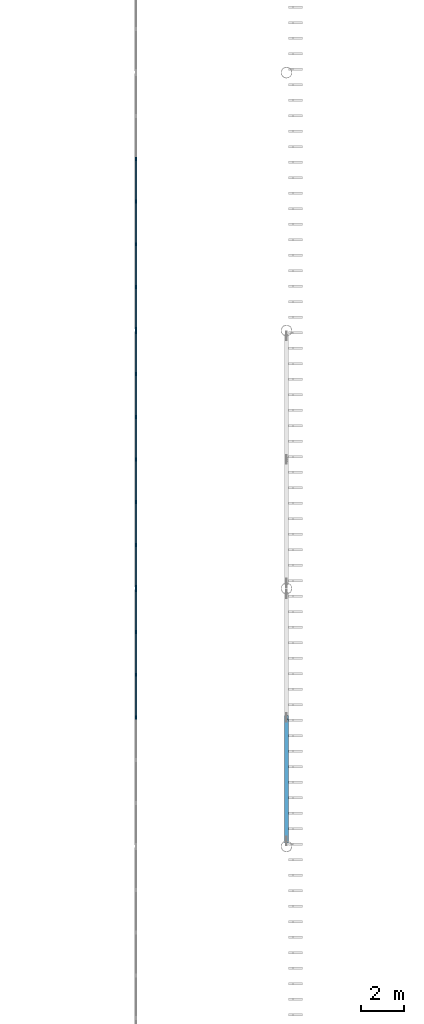
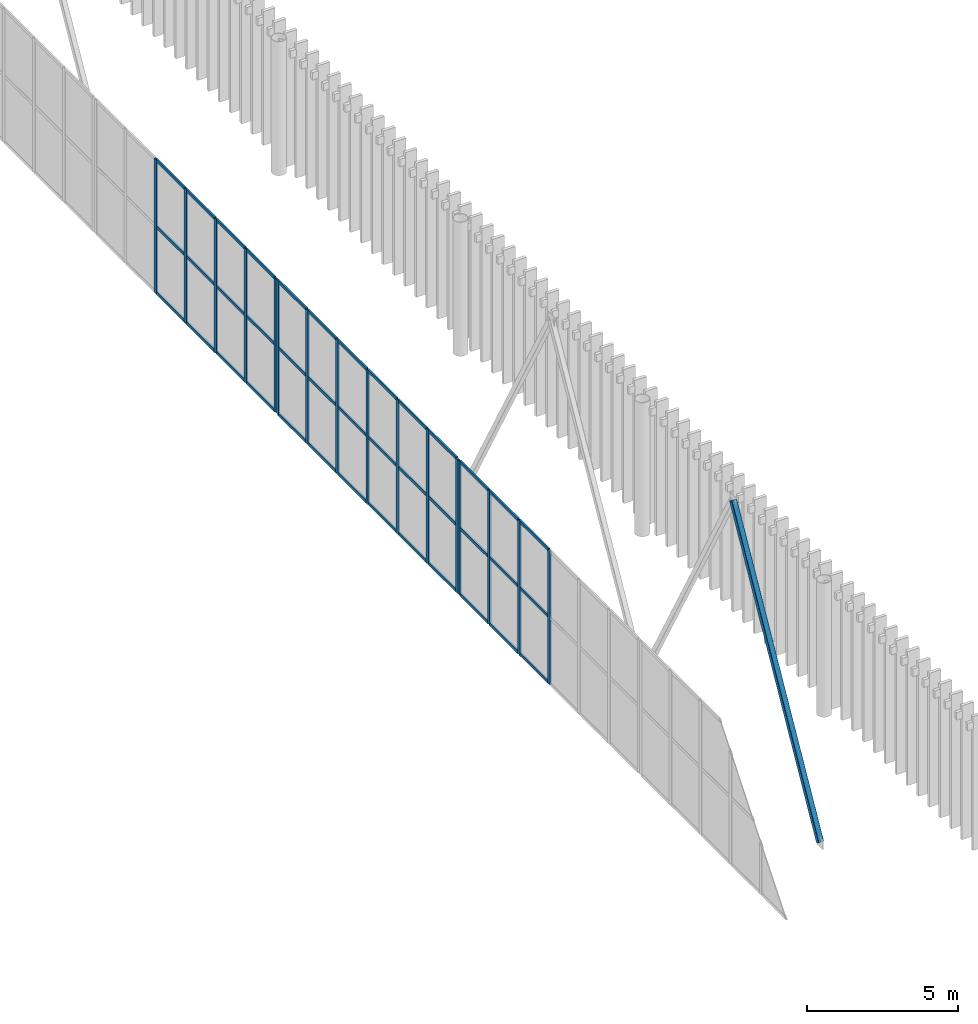
# One storey, part 47 of 170: 56 members, 3 elements without a shape of their own.
"""IFC4 building model written with IfcOpenShell, lengths in metres."""

from ifc_helpers import new_model, si_unit, direction, frame, origin, origin_2d, place, context, subcontext, project, spatial, rectangle, hollow_rectangle, extrude, material, layer, layer_set, material_profile, profile_set, type_object, element, aggregate, save


model = new_model("IFC4")

# Units and contexts
model_context = context("Model", 3, precision=1e-05, world=origin(), true_north=direction((0.0, 1.0)))
body_context = subcontext(model_context, "Body", "Model", "MODEL_VIEW")
ifc_project = project(units=[si_unit("LENGTHUNIT", "METRE"), si_unit("AREAUNIT", "SQUARE_METRE"), si_unit("VOLUMEUNIT", "CUBIC_METRE"), si_unit("PLANEANGLEUNIT", "RADIAN"), si_unit("MASSUNIT", "GRAM", prefix="KILO")], contexts=[model_context])

# Site, building, storey
site_placement = place(None, origin())
site = spatial("IfcSite", under=ifc_project, at=site_placement, CompositionType="ELEMENT")
building_placement = place(site_placement, origin())
building = spatial("IfcBuilding", under=site, at=building_placement, Name="Ravi Spectrum Wholesale Market", CompositionType="ELEMENT")
storey_placement = place(building_placement, frame((0.0, 0.0, 5.39990234375)))
storey = spatial("IfcBuildingStorey", under=building, at=storey_placement, Name="L01", CompositionType="ELEMENT", Elevation=5.39990234375)

# Curtain wall, members
ifc_material_1 = material(Name="Aluminium 6063-T6", Category="aluminium")
ifc_layer = layer(ifc_material_1, 0.14990234375)
ifc_layer_set = layer_set([ifc_layer], Name="Aluminium 6063-T6")
curtain_wall_type = type_object("IfcCurtainWallType", Name="Curtain wall 150", PredefinedType="NOTDEFINED", material=ifc_layer_set)
curtain_wall_1_placement = place(storey_placement, origin())
curtain_wall_1 = element("IfcCurtainWall", 1, at=curtain_wall_1_placement, inside=storey, type_object=curtain_wall_type, Name="H1-CW-L01-021", PredefinedType="NOTDEFINED")
ifc_material_2 = material(Name="Aluminium 6063-T6", Category="aluminium")
ifc_material_profile_1 = material_profile(ifc_material_2, rectangle(XDim=0.06005859375, YDim=0.159912109375, at=origin_2d()))
ifc_profile_set_1 = profile_set([ifc_material_profile_1], Name="Aluminium 6063-T6")
member_type_1 = type_object("IfcMemberType", Name="Mullion 60 x 160", PredefinedType="MULLION", material=ifc_profile_set_1)
member_1_placement = place(storey_placement, frame((103.0, 108.0, 0.0), z_axis=(0.0, 0.0, 1.0), x_axis=(-1.0, 0.0, 0.0)))
member_1 = element("IfcMember", 2, at=member_1_placement, type_object=member_type_1, Name="H1-CW-L01-021 mullion 4", PredefinedType="MULLION", context=body_context, shape_type="SweptSolid", body=[
    extrude(rectangle(XDim=0.06005859375, YDim=0.159912109375, at=origin_2d()), origin(), (0.0, 0.0, 1.0), 5.400146484375),
])
member_2_placement = place(storey_placement, frame((103.0, 109.986572265625, 0.0), z_axis=(0.0, 0.0, 1.0), x_axis=(-1.0, 0.0, 0.0)))
member_2 = element("IfcMember", 3, at=member_2_placement, type_object=member_type_1, Name="H1-CW-L01-021 mullion 5", PredefinedType="MULLION", context=body_context, shape_type="SweptSolid", body=[
    extrude(rectangle(XDim=0.06005859375, YDim=0.159912109375, at=origin_2d()), origin(), (0.0, 0.0, 1.0), 5.400146484375),
])
member_3_placement = place(storey_placement, frame((103.0, 111.973388671875, 0.0), z_axis=(0.0, 0.0, 1.0), x_axis=(-1.0, 0.0, 0.0)))
member_3 = element("IfcMember", 4, at=member_3_placement, type_object=member_type_1, Name="H1-CW-L01-021 mullion 6", PredefinedType="MULLION", context=body_context, shape_type="SweptSolid", body=[
    extrude(rectangle(XDim=0.06005859375, YDim=0.159912109375, at=origin_2d()), origin(), (0.0, 0.0, 1.0), 5.400146484375),
])
member_4_placement = place(storey_placement, frame((103.0, 113.929931640625, 0.0), z_axis=(0.0, 0.0, 1.0), x_axis=(-1.0, 0.0, 0.0)))
member_4 = element("IfcMember", 5, at=member_4_placement, type_object=member_type_1, Name="H1-CW-L01-021 mullion 7", PredefinedType="MULLION", context=body_context, shape_type="SweptSolid", body=[
    extrude(rectangle(XDim=0.06005859375, YDim=0.159912109375, at=origin_2d()), origin(), (0.0, 0.0, 1.0), 5.400146484375),
])

curtain_wall_2_placement = place(storey_placement, origin())
curtain_wall_2 = element("IfcCurtainWall", 6, at=curtain_wall_2_placement, inside=storey, type_object=curtain_wall_type, Name="H1-CW-L01-022", PredefinedType="NOTDEFINED")
member_5_placement = place(storey_placement, frame((103.0, 114.070068359375, 0.0), z_axis=(0.0, 0.0, 1.0), x_axis=(-1.0, 0.0, 0.0)))
member_5 = element("IfcMember", 7, at=member_5_placement, type_object=member_type_1, Name="H1-CW-L01-022 mullion 1", PredefinedType="MULLION", context=body_context, shape_type="SweptSolid", body=[
    extrude(rectangle(XDim=0.06005859375, YDim=0.159912109375, at=origin_2d()), origin(), (0.0, 0.0, 1.0), 5.400146484375),
])
member_6_placement = place(storey_placement, frame((103.0, 116.026611328125, 0.0), z_axis=(0.0, 0.0, 1.0), x_axis=(-1.0, 0.0, 0.0)))
member_6 = element("IfcMember", 8, at=member_6_placement, type_object=member_type_1, Name="H1-CW-L01-022 mullion 2", PredefinedType="MULLION", context=body_context, shape_type="SweptSolid", body=[
    extrude(rectangle(XDim=0.06005859375, YDim=0.159912109375, at=origin_2d()), origin(), (0.0, 0.0, 1.0), 5.400146484375),
])
member_7_placement = place(storey_placement, frame((103.0, 118.013427734375, 0.0), z_axis=(0.0, 0.0, 1.0), x_axis=(-1.0, 0.0, 0.0)))
member_7 = element("IfcMember", 9, at=member_7_placement, type_object=member_type_1, Name="H1-CW-L01-022 mullion 3", PredefinedType="MULLION", context=body_context, shape_type="SweptSolid", body=[
    extrude(rectangle(XDim=0.06005859375, YDim=0.159912109375, at=origin_2d()), origin(), (0.0, 0.0, 1.0), 5.400146484375),
])
member_8_placement = place(storey_placement, frame((103.0, 120.0, 0.0), z_axis=(0.0, 0.0, 1.0), x_axis=(-1.0, 0.0, 0.0)))
member_8 = element("IfcMember", 10, at=member_8_placement, type_object=member_type_1, Name="H1-CW-L01-022 mullion 4", PredefinedType="MULLION", context=body_context, shape_type="SweptSolid", body=[
    extrude(rectangle(XDim=0.06005859375, YDim=0.159912109375, at=origin_2d()), origin(), (0.0, 0.0, 1.0), 5.400146484375),
])
member_9_placement = place(storey_placement, frame((103.0, 121.986572265625, 0.0), z_axis=(0.0, 0.0, 1.0), x_axis=(-1.0, 0.0, 0.0)))
member_9 = element("IfcMember", 11, at=member_9_placement, type_object=member_type_1, Name="H1-CW-L01-022 mullion 5", PredefinedType="MULLION", context=body_context, shape_type="SweptSolid", body=[
    extrude(rectangle(XDim=0.06005859375, YDim=0.159912109375, at=origin_2d()), origin(), (0.0, 0.0, 1.0), 5.400146484375),
])
member_10_placement = place(storey_placement, frame((103.0, 123.973388671875, 0.0), z_axis=(0.0, 0.0, 1.0), x_axis=(-1.0, 0.0, 0.0)))
member_10 = element("IfcMember", 12, at=member_10_placement, type_object=member_type_1, Name="H1-CW-L01-022 mullion 6", PredefinedType="MULLION", context=body_context, shape_type="SweptSolid", body=[
    extrude(rectangle(XDim=0.06005859375, YDim=0.159912109375, at=origin_2d()), origin(), (0.0, 0.0, 1.0), 5.400146484375),
])
member_11_placement = place(storey_placement, frame((103.0, 125.929931640625, 0.0), z_axis=(0.0, 0.0, 1.0), x_axis=(-1.0, 0.0, 0.0)))
member_11 = element("IfcMember", 13, at=member_11_placement, type_object=member_type_1, Name="H1-CW-L01-022 mullion 7", PredefinedType="MULLION", context=body_context, shape_type="SweptSolid", body=[
    extrude(rectangle(XDim=0.06005859375, YDim=0.159912109375, at=origin_2d()), origin(), (0.0, 0.0, 1.0), 5.400146484375),
])

curtain_wall_3_placement = place(storey_placement, origin())
curtain_wall_3 = element("IfcCurtainWall", 14, at=curtain_wall_3_placement, inside=storey, type_object=curtain_wall_type, Name="H1-CW-L01-023", PredefinedType="NOTDEFINED")
member_12_placement = place(storey_placement, frame((103.0, 126.070068359375, 0.0), z_axis=(0.0, 0.0, 1.0), x_axis=(-1.0, 0.0, 0.0)))
member_12 = element("IfcMember", 15, at=member_12_placement, type_object=member_type_1, Name="H1-CW-L01-023 mullion 1", PredefinedType="MULLION", context=body_context, shape_type="SweptSolid", body=[
    extrude(rectangle(XDim=0.06005859375, YDim=0.159912109375, at=origin_2d()), origin(), (0.0, 0.0, 1.0), 5.400146484375),
])
member_13_placement = place(storey_placement, frame((103.0, 128.026611328125, 0.0), z_axis=(0.0, 0.0, 1.0), x_axis=(-1.0, 0.0, 0.0)))
member_13 = element("IfcMember", 16, at=member_13_placement, type_object=member_type_1, Name="H1-CW-L01-023 mullion 2", PredefinedType="MULLION", context=body_context, shape_type="SweptSolid", body=[
    extrude(rectangle(XDim=0.06005859375, YDim=0.159912109375, at=origin_2d()), origin(), (0.0, 0.0, 1.0), 5.400146484375),
])
member_14_placement = place(storey_placement, frame((103.0, 130.013427734375, 0.0), z_axis=(0.0, 0.0, 1.0), x_axis=(-1.0, 0.0, 0.0)))
member_14 = element("IfcMember", 17, at=member_14_placement, type_object=member_type_1, Name="H1-CW-L01-023 mullion 3", PredefinedType="MULLION", context=body_context, shape_type="SweptSolid", body=[
    extrude(rectangle(XDim=0.06005859375, YDim=0.159912109375, at=origin_2d()), origin(), (0.0, 0.0, 1.0), 5.400146484375),
])
member_15_placement = place(storey_placement, frame((103.0, 132.0, 0.0), z_axis=(0.0, 0.0, 1.0), x_axis=(-1.0, 0.0, 0.0)))
member_15 = element("IfcMember", 18, at=member_15_placement, type_object=member_type_1, Name="H1-CW-L01-023 mullion 4", PredefinedType="MULLION", context=body_context, shape_type="SweptSolid", body=[
    extrude(rectangle(XDim=0.06005859375, YDim=0.159912109375, at=origin_2d()), origin(), (0.0, 0.0, 1.0), 5.400146484375),
])
member_16_placement = place(storey_placement, frame((103.0, 133.986572265625, 0.0), z_axis=(0.0, 0.0, 1.0), x_axis=(-1.0, 0.0, 0.0)))
member_16 = element("IfcMember", 19, at=member_16_placement, type_object=member_type_1, Name="H1-CW-L01-023 mullion 5", PredefinedType="MULLION", context=body_context, shape_type="SweptSolid", body=[
    extrude(rectangle(XDim=0.06005859375, YDim=0.159912109375, at=origin_2d()), origin(), (0.0, 0.0, 1.0), 5.400146484375),
])

# Member
ifc_material_3 = material(Name="Steel S355", Category="steel")
ifc_material_profile_2 = material_profile(ifc_material_3, hollow_rectangle(XDim=0.199951171875, YDim=0.199951171875, WallThickness=0.008056640625, InnerFilletRadius=0.008056640625, OuterFilletRadius=0.01611328125, at=origin_2d()))
ifc_profile_set_2 = profile_set([ifc_material_profile_2], Name="Steel S355")
member_type_2 = type_object("IfcMemberType", Name="SHS 200x200x8 brace", PredefinedType="BRACE", material=ifc_profile_set_2)
member_17_placement = place(storey_placement, frame((110.0, 102.25390625, -5.350830078125), z_axis=(0.0, 0.487151805571, 0.873317306784), x_axis=(-1.0, 0.0, 0.0)))
element("IfcMember", 20, at=member_17_placement, inside=storey, type_object=member_type_2, Name="H1-MB-L01-017", PredefinedType="BRACE", context=body_context, shape_type="SweptSolid", body=[
    extrude(hollow_rectangle(XDim=0.199951171875, YDim=0.199951171875, WallThickness=0.008056640625, InnerFilletRadius=0.008056640625, OuterFilletRadius=0.01611328125, at=origin_2d()), origin(), (0.0, 0.0, 1.0), 11.795166015625),
])

ifc_material_4 = material(Name="Aluminium 6063-T6", Category="aluminium")
ifc_material_profile_3 = material_profile(ifc_material_4, rectangle(XDim=0.06005859375, YDim=0.1201171875, at=origin_2d()))
ifc_profile_set_3 = profile_set([ifc_material_profile_3], Name="Aluminium 6063-T6")
member_type_3 = type_object("IfcMemberType", Name="Transom 60 x 120", PredefinedType="USERDEFINED", material=ifc_profile_set_3)
member_18_placement = place(storey_placement, frame((103.0, 108.030029296875, 0.030029296875), z_axis=(0.0, 1.0, 0.0), x_axis=(-1.0, 0.0, 0.0)))
member_18 = element("IfcMember", 21, at=member_18_placement, type_object=member_type_3, Name="H1-CW-L01-021 transom 4.1", ObjectType="TRANSOM", PredefinedType="USERDEFINED", context=body_context, shape_type="SweptSolid", body=[
    extrude(rectangle(XDim=0.06005859375, YDim=0.1201171875, at=origin_2d()), origin(), (0.0, 0.0, 1.0), 1.9267578125),
])

member_19_placement = place(storey_placement, frame((103.0, 108.030029296875, 2.7001953125), z_axis=(0.0, 1.0, 0.0), x_axis=(-1.0, 0.0, 0.0)))
member_19 = element("IfcMember", 22, at=member_19_placement, type_object=member_type_3, Name="H1-CW-L01-021 transom 4.2", ObjectType="TRANSOM", PredefinedType="USERDEFINED", context=body_context, shape_type="SweptSolid", body=[
    extrude(rectangle(XDim=0.06005859375, YDim=0.1201171875, at=origin_2d()), origin(), (0.0, 0.0, 1.0), 1.9267578125),
])

member_20_placement = place(storey_placement, frame((103.0, 108.030029296875, 5.3701171875), z_axis=(0.0, 1.0, 0.0), x_axis=(-1.0, 0.0, 0.0)))
member_20 = element("IfcMember", 23, at=member_20_placement, type_object=member_type_3, Name="H1-CW-L01-021 transom 4.3", ObjectType="TRANSOM", PredefinedType="USERDEFINED", context=body_context, shape_type="SweptSolid", body=[
    extrude(rectangle(XDim=0.06005859375, YDim=0.1201171875, at=origin_2d()), origin(), (0.0, 0.0, 1.0), 1.9267578125),
])

member_21_placement = place(storey_placement, frame((103.0, 110.0166015625, 0.030029296875), z_axis=(0.0, 1.0, 0.0), x_axis=(-1.0, 0.0, 0.0)))
member_21 = element("IfcMember", 24, at=member_21_placement, type_object=member_type_3, Name="H1-CW-L01-021 transom 5.1", ObjectType="TRANSOM", PredefinedType="USERDEFINED", context=body_context, shape_type="SweptSolid", body=[
    extrude(rectangle(XDim=0.06005859375, YDim=0.1201171875, at=origin_2d()), origin(), (0.0, 0.0, 1.0), 1.9267578125),
])

member_22_placement = place(storey_placement, frame((103.0, 110.0166015625, 2.7001953125), z_axis=(0.0, 1.0, 0.0), x_axis=(-1.0, 0.0, 0.0)))
member_22 = element("IfcMember", 25, at=member_22_placement, type_object=member_type_3, Name="H1-CW-L01-021 transom 5.2", ObjectType="TRANSOM", PredefinedType="USERDEFINED", context=body_context, shape_type="SweptSolid", body=[
    extrude(rectangle(XDim=0.06005859375, YDim=0.1201171875, at=origin_2d()), origin(), (0.0, 0.0, 1.0), 1.9267578125),
])

member_23_placement = place(storey_placement, frame((103.0, 110.0166015625, 5.3701171875), z_axis=(0.0, 1.0, 0.0), x_axis=(-1.0, 0.0, 0.0)))
member_23 = element("IfcMember", 26, at=member_23_placement, type_object=member_type_3, Name="H1-CW-L01-021 transom 5.3", ObjectType="TRANSOM", PredefinedType="USERDEFINED", context=body_context, shape_type="SweptSolid", body=[
    extrude(rectangle(XDim=0.06005859375, YDim=0.1201171875, at=origin_2d()), origin(), (0.0, 0.0, 1.0), 1.9267578125),
])

member_24_placement = place(storey_placement, frame((103.0, 112.00341796875, 0.030029296875), z_axis=(0.0, 1.0, 0.0), x_axis=(-1.0, 0.0, 0.0)))
member_24 = element("IfcMember", 27, at=member_24_placement, type_object=member_type_3, Name="H1-CW-L01-021 transom 6.1", ObjectType="TRANSOM", PredefinedType="USERDEFINED", context=body_context, shape_type="SweptSolid", body=[
    extrude(rectangle(XDim=0.06005859375, YDim=0.1201171875, at=origin_2d()), origin(), (0.0, 0.0, 1.0), 1.896484375),
])

member_25_placement = place(storey_placement, frame((103.0, 112.00341796875, 2.7001953125), z_axis=(0.0, 1.0, 0.0), x_axis=(-1.0, 0.0, 0.0)))
member_25 = element("IfcMember", 28, at=member_25_placement, type_object=member_type_3, Name="H1-CW-L01-021 transom 6.2", ObjectType="TRANSOM", PredefinedType="USERDEFINED", context=body_context, shape_type="SweptSolid", body=[
    extrude(rectangle(XDim=0.06005859375, YDim=0.1201171875, at=origin_2d()), origin(), (0.0, 0.0, 1.0), 1.896484375),
])

member_26_placement = place(storey_placement, frame((103.0, 112.00341796875, 5.3701171875), z_axis=(0.0, 1.0, 0.0), x_axis=(-1.0, 0.0, 0.0)))
member_26 = element("IfcMember", 29, at=member_26_placement, type_object=member_type_3, Name="H1-CW-L01-021 transom 6.3", ObjectType="TRANSOM", PredefinedType="USERDEFINED", context=body_context, shape_type="SweptSolid", body=[
    extrude(rectangle(XDim=0.06005859375, YDim=0.1201171875, at=origin_2d()), origin(), (0.0, 0.0, 1.0), 1.896484375),
])

aggregate(curtain_wall_1, [member_1, member_2, member_3, member_4, member_18, member_19, member_20, member_21, member_22, member_23, member_24, member_25, member_26])

member_27_placement = place(storey_placement, frame((103.0, 114.10009765625, 0.030029296875), z_axis=(0.0, 1.0, 0.0), x_axis=(-1.0, 0.0, 0.0)))
member_27 = element("IfcMember", 30, at=member_27_placement, type_object=member_type_3, Name="H1-CW-L01-022 transom 1.1", ObjectType="TRANSOM", PredefinedType="USERDEFINED", context=body_context, shape_type="SweptSolid", body=[
    extrude(rectangle(XDim=0.06005859375, YDim=0.1201171875, at=origin_2d()), origin(), (0.0, 0.0, 1.0), 1.896484375),
])

member_28_placement = place(storey_placement, frame((103.0, 114.10009765625, 2.7001953125), z_axis=(0.0, 1.0, 0.0), x_axis=(-1.0, 0.0, 0.0)))
member_28 = element("IfcMember", 31, at=member_28_placement, type_object=member_type_3, Name="H1-CW-L01-022 transom 1.2", ObjectType="TRANSOM", PredefinedType="USERDEFINED", context=body_context, shape_type="SweptSolid", body=[
    extrude(rectangle(XDim=0.06005859375, YDim=0.1201171875, at=origin_2d()), origin(), (0.0, 0.0, 1.0), 1.896484375),
])

member_29_placement = place(storey_placement, frame((103.0, 114.10009765625, 5.3701171875), z_axis=(0.0, 1.0, 0.0), x_axis=(-1.0, 0.0, 0.0)))
member_29 = element("IfcMember", 32, at=member_29_placement, type_object=member_type_3, Name="H1-CW-L01-022 transom 1.3", ObjectType="TRANSOM", PredefinedType="USERDEFINED", context=body_context, shape_type="SweptSolid", body=[
    extrude(rectangle(XDim=0.06005859375, YDim=0.1201171875, at=origin_2d()), origin(), (0.0, 0.0, 1.0), 1.896484375),
])

member_30_placement = place(storey_placement, frame((103.0, 116.056640625, 0.030029296875), z_axis=(0.0, 1.0, 0.0), x_axis=(-1.0, 0.0, 0.0)))
member_30 = element("IfcMember", 33, at=member_30_placement, type_object=member_type_3, Name="H1-CW-L01-022 transom 2.1", ObjectType="TRANSOM", PredefinedType="USERDEFINED", context=body_context, shape_type="SweptSolid", body=[
    extrude(rectangle(XDim=0.06005859375, YDim=0.1201171875, at=origin_2d()), origin(), (0.0, 0.0, 1.0), 1.9267578125),
])

member_31_placement = place(storey_placement, frame((103.0, 116.056640625, 2.7001953125), z_axis=(0.0, 1.0, 0.0), x_axis=(-1.0, 0.0, 0.0)))
member_31 = element("IfcMember", 34, at=member_31_placement, type_object=member_type_3, Name="H1-CW-L01-022 transom 2.2", ObjectType="TRANSOM", PredefinedType="USERDEFINED", context=body_context, shape_type="SweptSolid", body=[
    extrude(rectangle(XDim=0.06005859375, YDim=0.1201171875, at=origin_2d()), origin(), (0.0, 0.0, 1.0), 1.9267578125),
])

member_32_placement = place(storey_placement, frame((103.0, 116.056640625, 5.3701171875), z_axis=(0.0, 1.0, 0.0), x_axis=(-1.0, 0.0, 0.0)))
member_32 = element("IfcMember", 35, at=member_32_placement, type_object=member_type_3, Name="H1-CW-L01-022 transom 2.3", ObjectType="TRANSOM", PredefinedType="USERDEFINED", context=body_context, shape_type="SweptSolid", body=[
    extrude(rectangle(XDim=0.06005859375, YDim=0.1201171875, at=origin_2d()), origin(), (0.0, 0.0, 1.0), 1.9267578125),
])

member_33_placement = place(storey_placement, frame((103.0, 118.043212890625, 0.030029296875), z_axis=(0.0, 1.0, 0.0), x_axis=(-1.0, 0.0, 0.0)))
member_33 = element("IfcMember", 36, at=member_33_placement, type_object=member_type_3, Name="H1-CW-L01-022 transom 3.1", ObjectType="TRANSOM", PredefinedType="USERDEFINED", context=body_context, shape_type="SweptSolid", body=[
    extrude(rectangle(XDim=0.06005859375, YDim=0.1201171875, at=origin_2d()), origin(), (0.0, 0.0, 1.0), 1.9267578125),
])

member_34_placement = place(storey_placement, frame((103.0, 118.043212890625, 2.7001953125), z_axis=(0.0, 1.0, 0.0), x_axis=(-1.0, 0.0, 0.0)))
member_34 = element("IfcMember", 37, at=member_34_placement, type_object=member_type_3, Name="H1-CW-L01-022 transom 3.2", ObjectType="TRANSOM", PredefinedType="USERDEFINED", context=body_context, shape_type="SweptSolid", body=[
    extrude(rectangle(XDim=0.06005859375, YDim=0.1201171875, at=origin_2d()), origin(), (0.0, 0.0, 1.0), 1.9267578125),
])

member_35_placement = place(storey_placement, frame((103.0, 118.043212890625, 5.3701171875), z_axis=(0.0, 1.0, 0.0), x_axis=(-1.0, 0.0, 0.0)))
member_35 = element("IfcMember", 38, at=member_35_placement, type_object=member_type_3, Name="H1-CW-L01-022 transom 3.3", ObjectType="TRANSOM", PredefinedType="USERDEFINED", context=body_context, shape_type="SweptSolid", body=[
    extrude(rectangle(XDim=0.06005859375, YDim=0.1201171875, at=origin_2d()), origin(), (0.0, 0.0, 1.0), 1.9267578125),
])

member_36_placement = place(storey_placement, frame((103.0, 120.030029296875, 0.030029296875), z_axis=(0.0, 1.0, 0.0), x_axis=(-1.0, 0.0, 0.0)))
member_36 = element("IfcMember", 39, at=member_36_placement, type_object=member_type_3, Name="H1-CW-L01-022 transom 4.1", ObjectType="TRANSOM", PredefinedType="USERDEFINED", context=body_context, shape_type="SweptSolid", body=[
    extrude(rectangle(XDim=0.06005859375, YDim=0.1201171875, at=origin_2d()), origin(), (0.0, 0.0, 1.0), 1.9267578125),
])

member_37_placement = place(storey_placement, frame((103.0, 120.030029296875, 2.7001953125), z_axis=(0.0, 1.0, 0.0), x_axis=(-1.0, 0.0, 0.0)))
member_37 = element("IfcMember", 40, at=member_37_placement, type_object=member_type_3, Name="H1-CW-L01-022 transom 4.2", ObjectType="TRANSOM", PredefinedType="USERDEFINED", context=body_context, shape_type="SweptSolid", body=[
    extrude(rectangle(XDim=0.06005859375, YDim=0.1201171875, at=origin_2d()), origin(), (0.0, 0.0, 1.0), 1.9267578125),
])

member_38_placement = place(storey_placement, frame((103.0, 120.030029296875, 5.3701171875), z_axis=(0.0, 1.0, 0.0), x_axis=(-1.0, 0.0, 0.0)))
member_38 = element("IfcMember", 41, at=member_38_placement, type_object=member_type_3, Name="H1-CW-L01-022 transom 4.3", ObjectType="TRANSOM", PredefinedType="USERDEFINED", context=body_context, shape_type="SweptSolid", body=[
    extrude(rectangle(XDim=0.06005859375, YDim=0.1201171875, at=origin_2d()), origin(), (0.0, 0.0, 1.0), 1.9267578125),
])

member_39_placement = place(storey_placement, frame((103.0, 122.0166015625, 0.030029296875), z_axis=(0.0, 1.0, 0.0), x_axis=(-1.0, 0.0, 0.0)))
member_39 = element("IfcMember", 42, at=member_39_placement, type_object=member_type_3, Name="H1-CW-L01-022 transom 5.1", ObjectType="TRANSOM", PredefinedType="USERDEFINED", context=body_context, shape_type="SweptSolid", body=[
    extrude(rectangle(XDim=0.06005859375, YDim=0.1201171875, at=origin_2d()), origin(), (0.0, 0.0, 1.0), 1.9267578125),
])

member_40_placement = place(storey_placement, frame((103.0, 122.0166015625, 2.7001953125), z_axis=(0.0, 1.0, 0.0), x_axis=(-1.0, 0.0, 0.0)))
member_40 = element("IfcMember", 43, at=member_40_placement, type_object=member_type_3, Name="H1-CW-L01-022 transom 5.2", ObjectType="TRANSOM", PredefinedType="USERDEFINED", context=body_context, shape_type="SweptSolid", body=[
    extrude(rectangle(XDim=0.06005859375, YDim=0.1201171875, at=origin_2d()), origin(), (0.0, 0.0, 1.0), 1.9267578125),
])

member_41_placement = place(storey_placement, frame((103.0, 122.0166015625, 5.3701171875), z_axis=(0.0, 1.0, 0.0), x_axis=(-1.0, 0.0, 0.0)))
member_41 = element("IfcMember", 44, at=member_41_placement, type_object=member_type_3, Name="H1-CW-L01-022 transom 5.3", ObjectType="TRANSOM", PredefinedType="USERDEFINED", context=body_context, shape_type="SweptSolid", body=[
    extrude(rectangle(XDim=0.06005859375, YDim=0.1201171875, at=origin_2d()), origin(), (0.0, 0.0, 1.0), 1.9267578125),
])

member_42_placement = place(storey_placement, frame((103.0, 124.00341796875, 0.030029296875), z_axis=(0.0, 1.0, 0.0), x_axis=(-1.0, 0.0, 0.0)))
member_42 = element("IfcMember", 45, at=member_42_placement, type_object=member_type_3, Name="H1-CW-L01-022 transom 6.1", ObjectType="TRANSOM", PredefinedType="USERDEFINED", context=body_context, shape_type="SweptSolid", body=[
    extrude(rectangle(XDim=0.06005859375, YDim=0.1201171875, at=origin_2d()), origin(), (0.0, 0.0, 1.0), 1.896484375),
])

member_43_placement = place(storey_placement, frame((103.0, 124.00341796875, 2.7001953125), z_axis=(0.0, 1.0, 0.0), x_axis=(-1.0, 0.0, 0.0)))
member_43 = element("IfcMember", 46, at=member_43_placement, type_object=member_type_3, Name="H1-CW-L01-022 transom 6.2", ObjectType="TRANSOM", PredefinedType="USERDEFINED", context=body_context, shape_type="SweptSolid", body=[
    extrude(rectangle(XDim=0.06005859375, YDim=0.1201171875, at=origin_2d()), origin(), (0.0, 0.0, 1.0), 1.896484375),
])

member_44_placement = place(storey_placement, frame((103.0, 124.00341796875, 5.3701171875), z_axis=(0.0, 1.0, 0.0), x_axis=(-1.0, 0.0, 0.0)))
member_44 = element("IfcMember", 47, at=member_44_placement, type_object=member_type_3, Name="H1-CW-L01-022 transom 6.3", ObjectType="TRANSOM", PredefinedType="USERDEFINED", context=body_context, shape_type="SweptSolid", body=[
    extrude(rectangle(XDim=0.06005859375, YDim=0.1201171875, at=origin_2d()), origin(), (0.0, 0.0, 1.0), 1.896484375),
])

aggregate(curtain_wall_2, [member_5, member_6, member_7, member_8, member_9, member_10, member_11, member_27, member_28, member_29, member_30, member_31, member_32, member_33, member_34, member_35, member_36, member_37, member_38, member_39, member_40, member_41, member_42, member_43, member_44])

member_45_placement = place(storey_placement, frame((103.0, 126.10009765625, 0.030029296875), z_axis=(0.0, 1.0, 0.0), x_axis=(-1.0, 0.0, 0.0)))
member_45 = element("IfcMember", 48, at=member_45_placement, type_object=member_type_3, Name="H1-CW-L01-023 transom 1.1", ObjectType="TRANSOM", PredefinedType="USERDEFINED", context=body_context, shape_type="SweptSolid", body=[
    extrude(rectangle(XDim=0.06005859375, YDim=0.1201171875, at=origin_2d()), origin(), (0.0, 0.0, 1.0), 1.896484375),
])

member_46_placement = place(storey_placement, frame((103.0, 126.10009765625, 2.7001953125), z_axis=(0.0, 1.0, 0.0), x_axis=(-1.0, 0.0, 0.0)))
member_46 = element("IfcMember", 49, at=member_46_placement, type_object=member_type_3, Name="H1-CW-L01-023 transom 1.2", ObjectType="TRANSOM", PredefinedType="USERDEFINED", context=body_context, shape_type="SweptSolid", body=[
    extrude(rectangle(XDim=0.06005859375, YDim=0.1201171875, at=origin_2d()), origin(), (0.0, 0.0, 1.0), 1.896484375),
])

member_47_placement = place(storey_placement, frame((103.0, 126.10009765625, 5.3701171875), z_axis=(0.0, 1.0, 0.0), x_axis=(-1.0, 0.0, 0.0)))
member_47 = element("IfcMember", 50, at=member_47_placement, type_object=member_type_3, Name="H1-CW-L01-023 transom 1.3", ObjectType="TRANSOM", PredefinedType="USERDEFINED", context=body_context, shape_type="SweptSolid", body=[
    extrude(rectangle(XDim=0.06005859375, YDim=0.1201171875, at=origin_2d()), origin(), (0.0, 0.0, 1.0), 1.896484375),
])

member_48_placement = place(storey_placement, frame((103.0, 128.056640625, 0.030029296875), z_axis=(0.0, 1.0, 0.0), x_axis=(-1.0, 0.0, 0.0)))
member_48 = element("IfcMember", 51, at=member_48_placement, type_object=member_type_3, Name="H1-CW-L01-023 transom 2.1", ObjectType="TRANSOM", PredefinedType="USERDEFINED", context=body_context, shape_type="SweptSolid", body=[
    extrude(rectangle(XDim=0.06005859375, YDim=0.1201171875, at=origin_2d()), origin(), (0.0, 0.0, 1.0), 1.9267578125),
])

member_49_placement = place(storey_placement, frame((103.0, 128.056640625, 2.7001953125), z_axis=(0.0, 1.0, 0.0), x_axis=(-1.0, 0.0, 0.0)))
member_49 = element("IfcMember", 52, at=member_49_placement, type_object=member_type_3, Name="H1-CW-L01-023 transom 2.2", ObjectType="TRANSOM", PredefinedType="USERDEFINED", context=body_context, shape_type="SweptSolid", body=[
    extrude(rectangle(XDim=0.06005859375, YDim=0.1201171875, at=origin_2d()), origin(), (0.0, 0.0, 1.0), 1.9267578125),
])

member_50_placement = place(storey_placement, frame((103.0, 128.056640625, 5.3701171875), z_axis=(0.0, 1.0, 0.0), x_axis=(-1.0, 0.0, 0.0)))
member_50 = element("IfcMember", 53, at=member_50_placement, type_object=member_type_3, Name="H1-CW-L01-023 transom 2.3", ObjectType="TRANSOM", PredefinedType="USERDEFINED", context=body_context, shape_type="SweptSolid", body=[
    extrude(rectangle(XDim=0.06005859375, YDim=0.1201171875, at=origin_2d()), origin(), (0.0, 0.0, 1.0), 1.9267578125),
])

member_51_placement = place(storey_placement, frame((103.0, 130.043212890625, 0.030029296875), z_axis=(0.0, 1.0, 0.0), x_axis=(-1.0, 0.0, 0.0)))
member_51 = element("IfcMember", 54, at=member_51_placement, type_object=member_type_3, Name="H1-CW-L01-023 transom 3.1", ObjectType="TRANSOM", PredefinedType="USERDEFINED", context=body_context, shape_type="SweptSolid", body=[
    extrude(rectangle(XDim=0.06005859375, YDim=0.1201171875, at=origin_2d()), origin(), (0.0, 0.0, 1.0), 1.9267578125),
])

member_52_placement = place(storey_placement, frame((103.0, 130.043212890625, 2.7001953125), z_axis=(0.0, 1.0, 0.0), x_axis=(-1.0, 0.0, 0.0)))
member_52 = element("IfcMember", 55, at=member_52_placement, type_object=member_type_3, Name="H1-CW-L01-023 transom 3.2", ObjectType="TRANSOM", PredefinedType="USERDEFINED", context=body_context, shape_type="SweptSolid", body=[
    extrude(rectangle(XDim=0.06005859375, YDim=0.1201171875, at=origin_2d()), origin(), (0.0, 0.0, 1.0), 1.9267578125),
])

member_53_placement = place(storey_placement, frame((103.0, 130.043212890625, 5.3701171875), z_axis=(0.0, 1.0, 0.0), x_axis=(-1.0, 0.0, 0.0)))
member_53 = element("IfcMember", 56, at=member_53_placement, type_object=member_type_3, Name="H1-CW-L01-023 transom 3.3", ObjectType="TRANSOM", PredefinedType="USERDEFINED", context=body_context, shape_type="SweptSolid", body=[
    extrude(rectangle(XDim=0.06005859375, YDim=0.1201171875, at=origin_2d()), origin(), (0.0, 0.0, 1.0), 1.9267578125),
])

member_54_placement = place(storey_placement, frame((103.0, 132.030029296875, 0.030029296875), z_axis=(0.0, 1.0, 0.0), x_axis=(-1.0, 0.0, 0.0)))
member_54 = element("IfcMember", 57, at=member_54_placement, type_object=member_type_3, Name="H1-CW-L01-023 transom 4.1", ObjectType="TRANSOM", PredefinedType="USERDEFINED", context=body_context, shape_type="SweptSolid", body=[
    extrude(rectangle(XDim=0.06005859375, YDim=0.1201171875, at=origin_2d()), origin(), (0.0, 0.0, 1.0), 1.9267578125),
])

member_55_placement = place(storey_placement, frame((103.0, 132.030029296875, 2.7001953125), z_axis=(0.0, 1.0, 0.0), x_axis=(-1.0, 0.0, 0.0)))
member_55 = element("IfcMember", 58, at=member_55_placement, type_object=member_type_3, Name="H1-CW-L01-023 transom 4.2", ObjectType="TRANSOM", PredefinedType="USERDEFINED", context=body_context, shape_type="SweptSolid", body=[
    extrude(rectangle(XDim=0.06005859375, YDim=0.1201171875, at=origin_2d()), origin(), (0.0, 0.0, 1.0), 1.9267578125),
])

member_56_placement = place(storey_placement, frame((103.0, 132.030029296875, 5.3701171875), z_axis=(0.0, 1.0, 0.0), x_axis=(-1.0, 0.0, 0.0)))
member_56 = element("IfcMember", 59, at=member_56_placement, type_object=member_type_3, Name="H1-CW-L01-023 transom 4.3", ObjectType="TRANSOM", PredefinedType="USERDEFINED", context=body_context, shape_type="SweptSolid", body=[
    extrude(rectangle(XDim=0.06005859375, YDim=0.1201171875, at=origin_2d()), origin(), (0.0, 0.0, 1.0), 1.9267578125),
])

aggregate(curtain_wall_3, [member_12, member_13, member_14, member_15, member_16, member_45, member_46, member_47, member_48, member_49, member_50, member_51, member_52, member_53, member_54, member_55, member_56])

save(model, "model.ifc")
